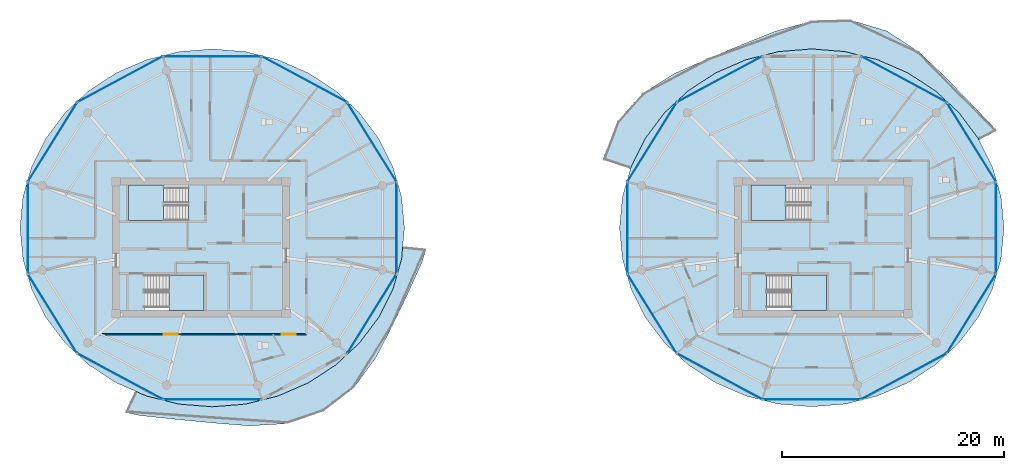
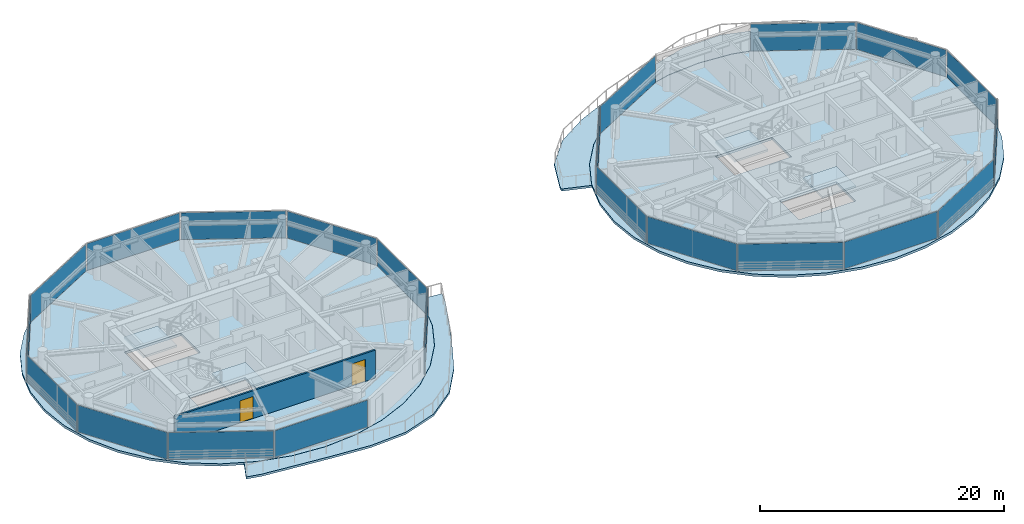
# One storey, part 11 of 23: 22 plates, 8 slabs, 2 doors, 1 wall, 2 openings, 26 elements without a shape of their own.
"""IFC4 building model written with IfcOpenShell, lengths in metres."""

from ifc_helpers import new_model, si_unit, direction, frame, frame_2d, origin, origin_2d, place, context, subcontext, project, spatial, polyline, rectangle, outline, extrude, source, transform, mapped, material, layer, layer_set, type_object, type_shapes, element, fill, aggregate, save


model = new_model("IFC4")

# Units and contexts
model_context = context("Model", 3, precision=1e-05, world=origin(), true_north=direction((0.0, 1.0)))
body_context = subcontext(model_context, "Body", "Model", "MODEL_VIEW")
ifc_project = project(units=[si_unit("LENGTHUNIT", "METRE"), si_unit("AREAUNIT", "SQUARE_METRE"), si_unit("VOLUMEUNIT", "CUBIC_METRE"), si_unit("PLANEANGLEUNIT", "RADIAN"), si_unit("MASSUNIT", "GRAM", prefix="KILO")], contexts=[model_context])

# Site, building, storey
site_placement = place(None, origin())
site = spatial("IfcSite", under=ifc_project, at=site_placement, CompositionType="ELEMENT")
building_placement = place(site_placement, origin())
building = spatial("IfcBuilding", under=site, at=building_placement, Name="Norrkilde Senior Care Towers", CompositionType="ELEMENT")
storey_placement = place(building_placement, frame((0.0, 0.0, 177.0)))
storey = spatial("IfcBuildingStorey", under=building, at=storey_placement, Name="L55", CompositionType="ELEMENT", Elevation=177.0)

# Slabs
ifc_material_1 = material(Name="Concrete C50/60", Category="concrete")
ifc_layer_1 = layer(ifc_material_1, 0.215087890625)
ifc_layer_set_1 = layer_set([ifc_layer_1], Name="Concrete C50/60")
slab_type_1 = type_object("IfcSlabType", Name="Sinusoidal Balcony Ribbon Slab 215", PredefinedType="FLOOR", material=ifc_layer_set_1)
slab_1_placement = place(storey_placement, frame((0.0, 0.0, -0.215087890625)))
element("IfcSlab", 1, at=slab_1_placement, inside=storey, type_object=slab_type_1, Name="L55 Drum W Swirling Senior Balcony 1", PredefinedType="FLOOR", context=body_context, shape_type="SweptSolid", body=[
    extrude(outline(polyline([(-10.75732421875, -7.041015625), (-12.244140625, -9.906494140625), (-14.240234375, -12.62548828125), (-16.952392578125, -14.72216796875), (-20.216552734375, -15.838134765625), (-23.648681640625, -16.044189453125), (-26.97509765625, -15.778564453125), (-30.205322265625, -15.458251953125), (-33.48876953125, -15.115234375), (-34.770751953125, -14.832275390625), (-33.878173828125, -12.93115234375), (-32.8935546875, -13.3583984375), (-29.97998046875, -14.0849609375), (-26.97509765625, -14.32958984375), (-23.969970703125, -14.0849609375), (-21.056396484375, -13.3583984375), (-18.322509765625, -12.171875), (-15.8515625, -10.561767578125), (-13.718505859375, -8.57666015625), (-11.988525390625, -6.277099609375), (-10.713623046875, -3.73291015625), (-9.932861328125, -1.021240234375), (-9.83056640625, 0.066162109375), (-7.740966796875, -0.14208984375), (-8.1103515625, -1.36669921875), (-9.41748046875, -4.239990234375), (-10.75732421875, -7.041015625)])), origin(), (0.0, 0.0, 1.0), 0.215087890625),
])
slab_2_placement = place(storey_placement, frame((0.0, 0.0, -0.215087890625)))
element("IfcSlab", 2, at=slab_2_placement, inside=storey, type_object=slab_type_1, Name="L55 Drum E Swirling Senior Balcony 1", PredefinedType="FLOOR", context=body_context, shape_type="SweptSolid", body=[
    extrude(outline(polyline([(9.528564453125, 11.354248046875), (11.774169921875, 13.880859375), (14.629638671875, 15.677490234375), (17.636962890625, 16.9990234375), (20.60986328125, 18.227294921875), (23.669677734375, 19.466064453125), (26.97509765625, 20.387939453125), (30.44677734375, 20.48095703125), (33.76416015625, 19.4794921875), (36.630859375, 17.59033203125), (39.03759765625, 15.315673828125), (41.239013671875, 13.0361328125), (43.43359375, 10.7412109375), (43.60693359375, 10.519775390625), (42.0302734375, 9.69091796875), (41.961669921875, 9.827880859375), (40.2314453125, 12.12744140625), (38.098388671875, 14.112548828125), (35.62744140625, 15.72265625), (32.8935546875, 16.9091796875), (29.97998046875, 17.6357421875), (26.97509765625, 17.88037109375), (23.969970703125, 17.6357421875), (21.056396484375, 16.9091796875), (18.322509765625, 15.72265625), (15.8515625, 14.112548828125), (13.718505859375, 12.12744140625), (11.988525390625, 9.827880859375), (10.713623046875, 7.28369140625), (10.66162109375, 7.103271484375), (8.24462890625, 7.892578125), (8.275390625, 8.2373046875), (9.528564453125, 11.354248046875)])), origin(), (0.0, 0.0, 1.0), 0.215087890625),
])

# Stair, slab
ifc_material_2 = material(Name="Concrete C45/55", Category="concrete")
stair_type = type_object("IfcStairType", Name="Core Protected Dogleg Stair Typical 3050", PredefinedType="HALF_TURN_STAIR", material=ifc_material_2)
stair_1_placement = place(storey_placement, origin())
stair_1 = element("IfcStair", 3, at=stair_1_placement, inside=storey, type_object=stair_type, Name="L55 Protected Core Stair W1", PredefinedType="HALF_TURN_STAIR")
ifc_layer_2 = layer(ifc_material_2, 0.199951171875)
ifc_layer_set_2 = layer_set([ifc_layer_2], Name="Concrete C45/55")
slab_type_2 = type_object("IfcSlabType", Name="Stair Landing Slab 200", PredefinedType="LANDING", material=ifc_layer_set_2)
slab_3_placement = place(storey_placement, frame((0.0, 0.0, 1.324951171875)))
slab_3 = element("IfcSlab", 4, at=slab_3_placement, type_object=slab_type_2, Name="ST-W1 landing 1", PredefinedType="LANDING", context=body_context, shape_type="SweptSolid", body=[
    extrude(outline(polyline([(-31.340087890625, 5.639892578125), (-34.5, 5.639892578125), (-34.5, 2.449951171875), (-31.340087890625, 2.449951171875), (-31.340087890625, 5.639892578125)])), origin(), (0.0, 0.0, 1.0), 0.199951171875),
])
aggregate(stair_1, [slab_3])

stair_2_placement = place(storey_placement, origin())
stair_2 = element("IfcStair", 5, at=stair_2_placement, inside=storey, type_object=stair_type, Name="L55 Protected Core Stair W2", PredefinedType="HALF_TURN_STAIR")
slab_4_placement = place(storey_placement, frame((0.0, 0.0, 1.324951171875)))
slab_4 = element("IfcSlab", 6, at=slab_4_placement, type_object=slab_type_2, Name="ST-W2 landing 1", PredefinedType="LANDING", context=body_context, shape_type="SweptSolid", body=[
    extrude(outline(polyline([(-30.860107421875, -5.639892578125), (-27.699951171875, -5.639892578125), (-27.699951171875, -2.449951171875), (-30.860107421875, -2.449951171875), (-30.860107421875, -5.639892578125)])), origin(), (0.0, 0.0, 1.0), 0.199951171875),
])
aggregate(stair_2, [slab_4])

stair_3_placement = place(storey_placement, origin())
stair_3 = element("IfcStair", 7, at=stair_3_placement, inside=storey, type_object=stair_type, Name="L55 Protected Core Stair E1", PredefinedType="HALF_TURN_STAIR")
slab_5_placement = place(storey_placement, frame((0.0, 0.0, 1.324951171875)))
slab_5 = element("IfcSlab", 8, at=slab_5_placement, type_object=slab_type_2, Name="ST-E1 landing 1", PredefinedType="LANDING", context=body_context, shape_type="SweptSolid", body=[
    extrude(outline(polyline([(24.659912109375, 5.639892578125), (21.5, 5.639892578125), (21.5, 2.449951171875), (24.659912109375, 2.449951171875), (24.659912109375, 5.639892578125)])), origin(), (0.0, 0.0, 1.0), 0.199951171875),
])
aggregate(stair_3, [slab_5])

stair_4_placement = place(storey_placement, origin())
stair_4 = element("IfcStair", 9, at=stair_4_placement, inside=storey, type_object=stair_type, Name="L55 Protected Core Stair E2", PredefinedType="HALF_TURN_STAIR")
slab_6_placement = place(storey_placement, frame((0.0, 0.0, 1.324951171875)))
slab_6 = element("IfcSlab", 10, at=slab_6_placement, type_object=slab_type_2, Name="ST-E2 landing 1", PredefinedType="LANDING", context=body_context, shape_type="SweptSolid", body=[
    extrude(outline(polyline([(25.139892578125, -5.639892578125), (28.300048828125, -5.639892578125), (28.300048828125, -2.449951171875), (25.139892578125, -2.449951171875), (25.139892578125, -5.639892578125)])), origin(), (0.0, 0.0, 1.0), 0.199951171875),
])
aggregate(stair_4, [slab_6])

# Slabs
ifc_layer_3 = layer(ifc_material_1, 0.239990234375)
ifc_layer_set_3 = layer_set([ifc_layer_3], Name="Concrete C50/60")
slab_type_3 = type_object("IfcSlabType", Name="Tower Residence Floor Slab 240", PredefinedType="FLOOR", material=ifc_layer_set_3)
slab_7_placement = place(storey_placement, frame((0.0, 0.0, -0.239990234375)))
element("IfcSlab", 11, at=slab_7_placement, inside=storey, type_object=slab_type_3, Name="L55 Drum W Structural Floor Slab", PredefinedType="FLOOR", context=body_context, shape_type="SweptSolid", body=[
    extrude(outline(polyline([(-10.71826171875, -3.731201171875), (-11.99267578125, -6.274658203125), (-13.722412109375, -8.573486328125), (-15.854736328125, -10.557861328125), (-18.324951171875, -12.167724609375), (-21.05810546875, -13.353759765625), (-23.970947265625, -14.080078125), (-26.97509765625, -14.32470703125), (-29.97900390625, -14.080078125), (-32.891845703125, -13.353759765625), (-35.625, -12.167724609375), (-38.09521484375, -10.557861328125), (-40.2275390625, -8.573486328125), (-41.957275390625, -6.274658203125), (-43.231689453125, -3.731201171875), (-44.01220703125, -1.020263671875), (-44.27490234375, 1.775390625), (-44.01220703125, 4.571044921875), (-43.231689453125, 7.281982421875), (-41.957275390625, 9.825439453125), (-40.2275390625, 12.124267578125), (-38.09521484375, 14.108642578125), (-35.625, 15.71826171875), (-32.891845703125, 16.904296875), (-29.97900390625, 17.630859375), (-26.97509765625, 17.875244140625), (-23.970947265625, 17.630859375), (-21.05810546875, 16.904296875), (-18.324951171875, 15.71826171875), (-15.854736328125, 14.108642578125), (-13.722412109375, 12.124267578125), (-11.99267578125, 9.825439453125), (-10.71826171875, 7.281982421875), (-9.937744140625, 4.571044921875), (-9.675048828125, 1.775390625), (-9.937744140625, -1.020263671875), (-10.71826171875, -3.731201171875)]), holes=[polyline([(-34.48193359375, 2.468017578125), (-29.117919921875, 2.468017578125), (-29.117919921875, 5.639892578125), (-34.48193359375, 5.639892578125), (-34.48193359375, 2.468017578125)]), polyline([(-27.718017578125, -5.639892578125), (-27.718017578125, -2.468017578125), (-33.08203125, -2.468017578125), (-33.08203125, -5.639892578125), (-27.718017578125, -5.639892578125)])]), origin(), (0.0, 0.0, 1.0), 0.239990234375),
])
slab_8_placement = place(storey_placement, frame((0.0, 0.0, -0.239990234375)))
element("IfcSlab", 12, at=slab_8_placement, inside=storey, type_object=slab_type_3, Name="L55 Drum E Structural Floor Slab", PredefinedType="FLOOR", context=body_context, shape_type="SweptSolid", body=[
    extrude(outline(polyline([(43.231689453125, -3.731201171875), (41.957275390625, -6.274658203125), (40.2275390625, -8.573486328125), (38.09521484375, -10.557861328125), (35.625, -12.167724609375), (32.891845703125, -13.353759765625), (29.97900390625, -14.080078125), (26.97509765625, -14.32470703125), (23.970947265625, -14.080078125), (21.05810546875, -13.353759765625), (18.324951171875, -12.167724609375), (15.854736328125, -10.557861328125), (13.722412109375, -8.573486328125), (11.99267578125, -6.274658203125), (10.71826171875, -3.731201171875), (9.937744140625, -1.020263671875), (9.675048828125, 1.775390625), (9.937744140625, 4.571044921875), (10.71826171875, 7.281982421875), (11.99267578125, 9.825439453125), (13.722412109375, 12.124267578125), (15.854736328125, 14.108642578125), (18.324951171875, 15.71826171875), (21.05810546875, 16.904296875), (23.970947265625, 17.630859375), (26.97509765625, 17.875244140625), (29.97900390625, 17.630859375), (32.891845703125, 16.904296875), (35.625, 15.71826171875), (38.09521484375, 14.108642578125), (40.2275390625, 12.124267578125), (41.957275390625, 9.825439453125), (43.231689453125, 7.281982421875), (44.01220703125, 4.571044921875), (44.27490234375, 1.775390625), (44.01220703125, -1.020263671875), (43.231689453125, -3.731201171875)]), holes=[polyline([(21.51806640625, 2.468017578125), (26.882080078125, 2.468017578125), (26.882080078125, 5.639892578125), (21.51806640625, 5.639892578125), (21.51806640625, 2.468017578125)]), polyline([(28.281982421875, -5.639892578125), (28.281982421875, -2.468017578125), (22.91796875, -2.468017578125), (22.91796875, -5.639892578125), (28.281982421875, -5.639892578125)])]), origin(), (0.0, 0.0, 1.0), 0.239990234375),
])

# Curtain wall, plate
ifc_material_3 = material(Name="Triple Low-E Insulated Glazing", Category="glass")
ifc_layer_4 = layer(ifc_material_3, 0.18994140625)
ifc_layer_set_4 = layer_set([ifc_layer_4], Name="Triple Low-E Insulated Glazing")
curtain_wall_type = type_object("IfcCurtainWallType", Name="CW4 Zone 3 Senior Residence Curtain Wall", PredefinedType="NOTDEFINED", material=ifc_layer_set_4)
curtain_wall_1_placement = place(storey_placement, origin())
curtain_wall_1 = element("IfcCurtainWall", 13, at=curtain_wall_1_placement, inside=storey, type_object=curtain_wall_type, Name="L55 Drum W Curtain Wall 00", PredefinedType="NOTDEFINED")
ifc_layer_5 = layer(ifc_material_3, 0.035888671875)
ifc_layer_set_5 = layer_set([ifc_layer_5], Name="Triple Low-E Insulated Glazing")
plate_type = type_object("IfcPlateType", Name="Triple Low-E Vision Curtain Panel 36", PredefinedType="CURTAIN_PANEL", material=ifc_layer_set_5)
shared_shape_1 = source(origin(), body_context, "Body", "SweptSolid", [
    extrude(rectangle(XDim=8.301513671875, YDim=0.035888671875, at=origin_2d()), origin(), (0.0, 0.0, 1.0), 2.68994140625),
])
plate_1_placement = place(storey_placement, frame((-12.603759765625, 9.4931640625, 0.06005859375), z_axis=(0.0, 0.0, 1.0), x_axis=(0.52737270789, -0.84963405474, 0.0)))
plate_1 = element("IfcPlate", 14, at=plate_1_placement, type_object=plate_type, Name="CW-4 panel 1.1", PredefinedType="CURTAIN_PANEL", context=body_context, shape_type="MappedRepresentation", body=[
    mapped(shared_shape_1, transform((0.0, 0.0, 0.0), x_axis=(1.0, 0.0, 0.0), y_axis=(0.0, 1.0, 0.0), z_axis=(0.0, 0.0, 1.0), scale=1.0)),
])
aggregate(curtain_wall_1, [plate_1])

curtain_wall_2_placement = place(storey_placement, origin())
curtain_wall_2 = element("IfcCurtainWall", 15, at=curtain_wall_2_placement, inside=storey, type_object=curtain_wall_type, Name="L55 Drum W Curtain Wall 04", PredefinedType="NOTDEFINED")
plate_2_placement = place(storey_placement, frame((-41.346435546875, 9.4931640625, 0.06005859375), z_axis=(0.0, 0.0, 1.0), x_axis=(0.52737270789, 0.84963405474, 0.0)))
plate_2 = element("IfcPlate", 16, at=plate_2_placement, type_object=plate_type, Name="CW-4 panel 1.1", PredefinedType="CURTAIN_PANEL", context=body_context, shape_type="MappedRepresentation", body=[
    mapped(shared_shape_1, transform((0.0, 0.0, 0.0), x_axis=(1.0, 0.0, 0.0), y_axis=(0.0, 1.0, 0.0), z_axis=(0.0, 0.0, 1.0), scale=1.0)),
])
aggregate(curtain_wall_2, [plate_2])

curtain_wall_3_placement = place(storey_placement, origin())
curtain_wall_3 = element("IfcCurtainWall", 17, at=curtain_wall_3_placement, inside=storey, type_object=curtain_wall_type, Name="L55 Drum W Curtain Wall 06", PredefinedType="NOTDEFINED")
plate_3_placement = place(storey_placement, frame((-41.346435546875, -5.9423828125, 0.06005859375), z_axis=(0.0, 0.0, 1.0), x_axis=(-0.52737270789, 0.84963405474, 0.0)))
plate_3 = element("IfcPlate", 18, at=plate_3_placement, type_object=plate_type, Name="CW-4 panel 1.1", PredefinedType="CURTAIN_PANEL", context=body_context, shape_type="MappedRepresentation", body=[
    mapped(shared_shape_1, transform((0.0, 0.0, 0.0), x_axis=(1.0, 0.0, 0.0), y_axis=(0.0, 1.0, 0.0), z_axis=(0.0, 0.0, 1.0), scale=1.0)),
])
aggregate(curtain_wall_3, [plate_3])

curtain_wall_4_placement = place(storey_placement, origin())
curtain_wall_4 = element("IfcCurtainWall", 19, at=curtain_wall_4_placement, inside=storey, type_object=curtain_wall_type, Name="L55 Drum W Curtain Wall 10", PredefinedType="NOTDEFINED")
plate_4_placement = place(storey_placement, frame((-12.603759765625, -5.9423828125, 0.06005859375), z_axis=(0.0, 0.0, 1.0), x_axis=(-0.52737270789, -0.84963405474, 0.0)))
plate_4 = element("IfcPlate", 20, at=plate_4_placement, type_object=plate_type, Name="CW-4 panel 1.1", PredefinedType="CURTAIN_PANEL", context=body_context, shape_type="MappedRepresentation", body=[
    mapped(shared_shape_1, transform((0.0, 0.0, 0.0), x_axis=(1.0, 0.0, 0.0), y_axis=(0.0, 1.0, 0.0), z_axis=(0.0, 0.0, 1.0), scale=1.0)),
])
aggregate(curtain_wall_4, [plate_4])

curtain_wall_5_placement = place(storey_placement, origin())
curtain_wall_5 = element("IfcCurtainWall", 21, at=curtain_wall_5_placement, inside=storey, type_object=curtain_wall_type, Name="L55 Drum E Curtain Wall 00", PredefinedType="NOTDEFINED")
plate_5_placement = place(storey_placement, frame((41.346435546875, 9.4931640625, 0.06005859375), z_axis=(0.0, 0.0, 1.0), x_axis=(0.52737270789, -0.84963405474, 0.0)))
plate_5 = element("IfcPlate", 22, at=plate_5_placement, type_object=plate_type, Name="CW-4 panel 1.1", PredefinedType="CURTAIN_PANEL", context=body_context, shape_type="MappedRepresentation", body=[
    mapped(shared_shape_1, transform((0.0, 0.0, 0.0), x_axis=(1.0, 0.0, 0.0), y_axis=(0.0, 1.0, 0.0), z_axis=(0.0, 0.0, 1.0), scale=1.0)),
])
aggregate(curtain_wall_5, [plate_5])

curtain_wall_6_placement = place(storey_placement, origin())
curtain_wall_6 = element("IfcCurtainWall", 23, at=curtain_wall_6_placement, inside=storey, type_object=curtain_wall_type, Name="L55 Drum E Curtain Wall 04", PredefinedType="NOTDEFINED")
plate_6_placement = place(storey_placement, frame((12.603759765625, 9.4931640625, 0.06005859375), z_axis=(0.0, 0.0, 1.0), x_axis=(0.52737270789, 0.84963405474, 0.0)))
plate_6 = element("IfcPlate", 24, at=plate_6_placement, type_object=plate_type, Name="CW-4 panel 1.1", PredefinedType="CURTAIN_PANEL", context=body_context, shape_type="MappedRepresentation", body=[
    mapped(shared_shape_1, transform((0.0, 0.0, 0.0), x_axis=(1.0, 0.0, 0.0), y_axis=(0.0, 1.0, 0.0), z_axis=(0.0, 0.0, 1.0), scale=1.0)),
])
aggregate(curtain_wall_6, [plate_6])

curtain_wall_7_placement = place(storey_placement, origin())
curtain_wall_7 = element("IfcCurtainWall", 25, at=curtain_wall_7_placement, inside=storey, type_object=curtain_wall_type, Name="L55 Drum E Curtain Wall 06", PredefinedType="NOTDEFINED")
plate_7_placement = place(storey_placement, frame((12.603759765625, -5.9423828125, 0.06005859375), z_axis=(0.0, 0.0, 1.0), x_axis=(-0.52737270789, 0.84963405474, 0.0)))
plate_7 = element("IfcPlate", 26, at=plate_7_placement, type_object=plate_type, Name="CW-4 panel 1.1", PredefinedType="CURTAIN_PANEL", context=body_context, shape_type="MappedRepresentation", body=[
    mapped(shared_shape_1, transform((0.0, 0.0, 0.0), x_axis=(1.0, 0.0, 0.0), y_axis=(0.0, 1.0, 0.0), z_axis=(0.0, 0.0, 1.0), scale=1.0)),
])
aggregate(curtain_wall_7, [plate_7])

curtain_wall_8_placement = place(storey_placement, origin())
curtain_wall_8 = element("IfcCurtainWall", 27, at=curtain_wall_8_placement, inside=storey, type_object=curtain_wall_type, Name="L55 Drum E Curtain Wall 10", PredefinedType="NOTDEFINED")
plate_8_placement = place(storey_placement, frame((41.346435546875, -5.9423828125, 0.06005859375), z_axis=(0.0, 0.0, 1.0), x_axis=(-0.52737270789, -0.84963405474, 0.0)))
plate_8 = element("IfcPlate", 28, at=plate_8_placement, type_object=plate_type, Name="CW-4 panel 1.1", PredefinedType="CURTAIN_PANEL", context=body_context, shape_type="MappedRepresentation", body=[
    mapped(shared_shape_1, transform((0.0, 0.0, 0.0), x_axis=(1.0, 0.0, 0.0), y_axis=(0.0, 1.0, 0.0), z_axis=(0.0, 0.0, 1.0), scale=1.0)),
])
aggregate(curtain_wall_8, [plate_8])

curtain_wall_9_placement = place(storey_placement, origin())
curtain_wall_9 = element("IfcCurtainWall", 29, at=curtain_wall_9_placement, inside=storey, type_object=curtain_wall_type, Name="L55 Drum W Curtain Wall 01", PredefinedType="NOTDEFINED")
shared_shape_2 = source(origin(), body_context, "Body", "SweptSolid", [
    extrude(rectangle(XDim=8.61181640625, YDim=0.035888671875, at=origin_2d()), origin(), (0.0, 0.0, 1.0), 2.68994140625),
])
plate_9_placement = place(storey_placement, frame((-18.677734375, 15.142822265625, 0.06005859375), z_axis=(0.0, 0.0, 1.0), x_axis=(0.880999524059, -0.47311715104, 0.0)))
plate_9 = element("IfcPlate", 30, at=plate_9_placement, type_object=plate_type, Name="CW-4 panel 1.1", PredefinedType="CURTAIN_PANEL", context=body_context, shape_type="MappedRepresentation", body=[
    mapped(shared_shape_2, transform((0.0, 0.0, 0.0), x_axis=(1.0, 0.0, 0.0), y_axis=(0.0, 1.0, 0.0), z_axis=(0.0, 0.0, 1.0), scale=1.0)),
])
aggregate(curtain_wall_9, [plate_9])

curtain_wall_10_placement = place(storey_placement, origin())
curtain_wall_10 = element("IfcCurtainWall", 31, at=curtain_wall_10_placement, inside=storey, type_object=curtain_wall_type, Name="L55 Drum W Curtain Wall 03", PredefinedType="NOTDEFINED")
plate_10_placement = place(storey_placement, frame((-35.272216796875, 15.142822265625, 0.06005859375), z_axis=(0.0, 0.0, 1.0), x_axis=(0.880999524059, 0.47311715104, 0.0)))
plate_10 = element("IfcPlate", 32, at=plate_10_placement, type_object=plate_type, Name="CW-4 panel 1.1", PredefinedType="CURTAIN_PANEL", context=body_context, shape_type="MappedRepresentation", body=[
    mapped(shared_shape_2, transform((0.0, 0.0, 0.0), x_axis=(1.0, 0.0, 0.0), y_axis=(0.0, 1.0, 0.0), z_axis=(0.0, 0.0, 1.0), scale=1.0)),
])
aggregate(curtain_wall_10, [plate_10])

curtain_wall_11_placement = place(storey_placement, origin())
curtain_wall_11 = element("IfcCurtainWall", 33, at=curtain_wall_11_placement, inside=storey, type_object=curtain_wall_type, Name="L55 Drum W Curtain Wall 07", PredefinedType="NOTDEFINED")
plate_11_placement = place(storey_placement, frame((-35.272216796875, -11.59228515625, 0.06005859375), z_axis=(0.0, 0.0, 1.0), x_axis=(-0.880999524059, 0.47311715104, 0.0)))
plate_11 = element("IfcPlate", 34, at=plate_11_placement, type_object=plate_type, Name="CW-4 panel 1.1", PredefinedType="CURTAIN_PANEL", context=body_context, shape_type="MappedRepresentation", body=[
    mapped(shared_shape_2, transform((0.0, 0.0, 0.0), x_axis=(1.0, 0.0, 0.0), y_axis=(0.0, 1.0, 0.0), z_axis=(0.0, 0.0, 1.0), scale=1.0)),
])
aggregate(curtain_wall_11, [plate_11])

curtain_wall_12_placement = place(storey_placement, origin())
curtain_wall_12 = element("IfcCurtainWall", 35, at=curtain_wall_12_placement, inside=storey, type_object=curtain_wall_type, Name="L55 Drum E Curtain Wall 01", PredefinedType="NOTDEFINED")
plate_12_placement = place(storey_placement, frame((35.272216796875, 15.142822265625, 0.06005859375), z_axis=(0.0, 0.0, 1.0), x_axis=(0.880999524059, -0.47311715104, 0.0)))
plate_12 = element("IfcPlate", 36, at=plate_12_placement, type_object=plate_type, Name="CW-4 panel 1.1", PredefinedType="CURTAIN_PANEL", context=body_context, shape_type="MappedRepresentation", body=[
    mapped(shared_shape_2, transform((0.0, 0.0, 0.0), x_axis=(1.0, 0.0, 0.0), y_axis=(0.0, 1.0, 0.0), z_axis=(0.0, 0.0, 1.0), scale=1.0)),
])
aggregate(curtain_wall_12, [plate_12])

curtain_wall_13_placement = place(storey_placement, origin())
curtain_wall_13 = element("IfcCurtainWall", 37, at=curtain_wall_13_placement, inside=storey, type_object=curtain_wall_type, Name="L55 Drum E Curtain Wall 03", PredefinedType="NOTDEFINED")
plate_13_placement = place(storey_placement, frame((18.677734375, 15.142822265625, 0.06005859375), z_axis=(0.0, 0.0, 1.0), x_axis=(0.880999524059, 0.47311715104, 0.0)))
plate_13 = element("IfcPlate", 38, at=plate_13_placement, type_object=plate_type, Name="CW-4 panel 1.1", PredefinedType="CURTAIN_PANEL", context=body_context, shape_type="MappedRepresentation", body=[
    mapped(shared_shape_2, transform((0.0, 0.0, 0.0), x_axis=(1.0, 0.0, 0.0), y_axis=(0.0, 1.0, 0.0), z_axis=(0.0, 0.0, 1.0), scale=1.0)),
])
aggregate(curtain_wall_13, [plate_13])

curtain_wall_14_placement = place(storey_placement, origin())
curtain_wall_14 = element("IfcCurtainWall", 39, at=curtain_wall_14_placement, inside=storey, type_object=curtain_wall_type, Name="L55 Drum E Curtain Wall 07", PredefinedType="NOTDEFINED")
plate_14_placement = place(storey_placement, frame((18.677734375, -11.59228515625, 0.06005859375), z_axis=(0.0, 0.0, 1.0), x_axis=(-0.880999524059, 0.47311715104, 0.0)))
plate_14 = element("IfcPlate", 40, at=plate_14_placement, type_object=plate_type, Name="CW-4 panel 1.1", PredefinedType="CURTAIN_PANEL", context=body_context, shape_type="MappedRepresentation", body=[
    mapped(shared_shape_2, transform((0.0, 0.0, 0.0), x_axis=(1.0, 0.0, 0.0), y_axis=(0.0, 1.0, 0.0), z_axis=(0.0, 0.0, 1.0), scale=1.0)),
])
aggregate(curtain_wall_14, [plate_14])

curtain_wall_15_placement = place(storey_placement, origin())
curtain_wall_15 = element("IfcCurtainWall", 41, at=curtain_wall_15_placement, inside=storey, type_object=curtain_wall_type, Name="L55 Drum E Curtain Wall 09", PredefinedType="NOTDEFINED")
plate_15_placement = place(storey_placement, frame((35.272216796875, -11.59228515625, 0.06005859375), z_axis=(0.0, 0.0, 1.0), x_axis=(-0.880999524059, -0.47311715104, 0.0)))
plate_15 = element("IfcPlate", 42, at=plate_15_placement, type_object=plate_type, Name="CW-4 panel 1.1", PredefinedType="CURTAIN_PANEL", context=body_context, shape_type="MappedRepresentation", body=[
    mapped(shared_shape_2, transform((0.0, 0.0, 0.0), x_axis=(1.0, 0.0, 0.0), y_axis=(0.0, 1.0, 0.0), z_axis=(0.0, 0.0, 1.0), scale=1.0)),
])
aggregate(curtain_wall_15, [plate_15])

curtain_wall_16_placement = place(storey_placement, origin())
curtain_wall_16 = element("IfcCurtainWall", 43, at=curtain_wall_16_placement, inside=storey, type_object=curtain_wall_type, Name="L55 Drum W Curtain Wall 02", PredefinedType="NOTDEFINED")
shared_shape_3 = source(origin(), body_context, "Body", "SweptSolid", [
    extrude(rectangle(XDim=8.762939453125, YDim=0.035888671875, at=origin_2d()), origin(), (0.0, 0.0, 1.0), 2.68994140625),
])
plate_16_placement = place(storey_placement, frame((-26.97509765625, 17.2109375, 0.06005859375), z_axis=(0.0, 0.0, 1.0), x_axis=(1.0, 0.0, 0.0)))
plate_16 = element("IfcPlate", 44, at=plate_16_placement, type_object=plate_type, Name="CW-4 panel 1.1", PredefinedType="CURTAIN_PANEL", context=body_context, shape_type="MappedRepresentation", body=[
    mapped(shared_shape_3, transform((0.0, 0.0, 0.0), x_axis=(1.0, 0.0, 0.0), y_axis=(0.0, 1.0, 0.0), z_axis=(0.0, 0.0, 1.0), scale=1.0)),
])
aggregate(curtain_wall_16, [plate_16])

curtain_wall_17_placement = place(storey_placement, origin())
curtain_wall_17 = element("IfcCurtainWall", 45, at=curtain_wall_17_placement, inside=storey, type_object=curtain_wall_type, Name="L55 Drum W Curtain Wall 08", PredefinedType="NOTDEFINED")
plate_17_placement = place(storey_placement, frame((-26.97509765625, -13.66015625, 0.06005859375), z_axis=(0.0, 0.0, 1.0), x_axis=(-1.0, 0.0, 0.0)))
plate_17 = element("IfcPlate", 46, at=plate_17_placement, type_object=plate_type, Name="CW-4 panel 1.1", PredefinedType="CURTAIN_PANEL", context=body_context, shape_type="MappedRepresentation", body=[
    mapped(shared_shape_3, transform((0.0, 0.0, 0.0), x_axis=(1.0, 0.0, 0.0), y_axis=(0.0, 1.0, 0.0), z_axis=(0.0, 0.0, 1.0), scale=1.0)),
])
aggregate(curtain_wall_17, [plate_17])

curtain_wall_18_placement = place(storey_placement, origin())
curtain_wall_18 = element("IfcCurtainWall", 47, at=curtain_wall_18_placement, inside=storey, type_object=curtain_wall_type, Name="L55 Drum E Curtain Wall 08", PredefinedType="NOTDEFINED")
plate_18_placement = place(storey_placement, frame((26.97509765625, -13.66015625, 0.06005859375), z_axis=(0.0, 0.0, 1.0), x_axis=(-1.0, 0.0, 0.0)))
plate_18 = element("IfcPlate", 48, at=plate_18_placement, type_object=plate_type, Name="CW-4 panel 1.1", PredefinedType="CURTAIN_PANEL", context=body_context, shape_type="MappedRepresentation", body=[
    mapped(shared_shape_3, transform((0.0, 0.0, 0.0), x_axis=(1.0, 0.0, 0.0), y_axis=(0.0, 1.0, 0.0), z_axis=(0.0, 0.0, 1.0), scale=1.0)),
])
aggregate(curtain_wall_18, [plate_18])

curtain_wall_19_placement = place(storey_placement, origin())
curtain_wall_19 = element("IfcCurtainWall", 49, at=curtain_wall_19_placement, inside=storey, type_object=curtain_wall_type, Name="L55 Drum W Curtain Wall 05", PredefinedType="NOTDEFINED")
shared_shape_4 = source(origin(), body_context, "Body", "SweptSolid", [
    extrude(rectangle(XDim=8.141845703125, YDim=0.035888671875, at=origin_2d()), origin(), (0.0, 0.0, 1.0), 2.68994140625),
])
type_shapes(plate_type, [shared_shape_1, shared_shape_2, shared_shape_3, shared_shape_4])
plate_19_placement = place(storey_placement, frame((-43.569580078125, 1.775390625, 0.06005859375), z_axis=(0.0, 0.0, 1.0), x_axis=(0.0, 1.0, 0.0)))
plate_19 = element("IfcPlate", 50, at=plate_19_placement, type_object=plate_type, Name="CW-4 panel 1.1", PredefinedType="CURTAIN_PANEL", context=body_context, shape_type="MappedRepresentation", body=[
    mapped(shared_shape_4, transform((0.0, 0.0, 0.0), x_axis=(1.0, 0.0, 0.0), y_axis=(0.0, 1.0, 0.0), z_axis=(0.0, 0.0, 1.0), scale=1.0)),
])
aggregate(curtain_wall_19, [plate_19])

curtain_wall_20_placement = place(storey_placement, origin())
curtain_wall_20 = element("IfcCurtainWall", 51, at=curtain_wall_20_placement, inside=storey, type_object=curtain_wall_type, Name="L55 Drum W Curtain Wall 11", PredefinedType="NOTDEFINED")
plate_20_placement = place(storey_placement, frame((-10.38037109375, 1.775390625, 0.06005859375), z_axis=(0.0, 0.0, 1.0), x_axis=(0.0, -1.0, 0.0)))
plate_20 = element("IfcPlate", 52, at=plate_20_placement, type_object=plate_type, Name="CW-4 panel 1.1", PredefinedType="CURTAIN_PANEL", context=body_context, shape_type="MappedRepresentation", body=[
    mapped(shared_shape_4, transform((0.0, 0.0, 0.0), x_axis=(1.0, 0.0, 0.0), y_axis=(0.0, 1.0, 0.0), z_axis=(0.0, 0.0, 1.0), scale=1.0)),
])
aggregate(curtain_wall_20, [plate_20])

curtain_wall_21_placement = place(storey_placement, origin())
curtain_wall_21 = element("IfcCurtainWall", 53, at=curtain_wall_21_placement, inside=storey, type_object=curtain_wall_type, Name="L55 Drum E Curtain Wall 05", PredefinedType="NOTDEFINED")
plate_21_placement = place(storey_placement, frame((10.38037109375, 1.775390625, 0.06005859375), z_axis=(0.0, 0.0, 1.0), x_axis=(0.0, 1.0, 0.0)))
plate_21 = element("IfcPlate", 54, at=plate_21_placement, type_object=plate_type, Name="CW-4 panel 1.1", PredefinedType="CURTAIN_PANEL", context=body_context, shape_type="MappedRepresentation", body=[
    mapped(shared_shape_4, transform((0.0, 0.0, 0.0), x_axis=(1.0, 0.0, 0.0), y_axis=(0.0, 1.0, 0.0), z_axis=(0.0, 0.0, 1.0), scale=1.0)),
])
aggregate(curtain_wall_21, [plate_21])

curtain_wall_22_placement = place(storey_placement, origin())
curtain_wall_22 = element("IfcCurtainWall", 55, at=curtain_wall_22_placement, inside=storey, type_object=curtain_wall_type, Name="L55 Drum E Curtain Wall 11", PredefinedType="NOTDEFINED")
plate_22_placement = place(storey_placement, frame((43.569580078125, 1.775390625, 0.06005859375), z_axis=(0.0, 0.0, 1.0), x_axis=(0.0, -1.0, 0.0)))
plate_22 = element("IfcPlate", 56, at=plate_22_placement, type_object=plate_type, Name="CW-4 panel 1.1", PredefinedType="CURTAIN_PANEL", context=body_context, shape_type="MappedRepresentation", body=[
    mapped(shared_shape_4, transform((0.0, 0.0, 0.0), x_axis=(1.0, 0.0, 0.0), y_axis=(0.0, 1.0, 0.0), z_axis=(0.0, 0.0, 1.0), scale=1.0)),
])
aggregate(curtain_wall_22, [plate_22])

# Wall, openings, doors
ifc_material_4 = material(Name="Gypsum Acoustic Board")
ifc_layer_6 = layer(ifc_material_4, 0.1650390625)
ifc_layer_set_6 = layer_set([ifc_layer_6], Name="Gypsum Acoustic Board")
wall_type = type_object("IfcWallType", Name="Corridor Rated Partition 165", PredefinedType="PARTITIONING", material=ifc_layer_set_6)
shared_shape_5 = source(origin(), body_context, "Body", "SweptSolid", [
    extrude(rectangle(XDim=19.0, YDim=0.1650390625, at=frame_2d((9.5, 0.0))), origin(), (0.0, 0.0, 1.0), 2.794921875),
])
type_shapes(wall_type, [shared_shape_5])
wall_placement = place(storey_placement, frame((-18.5, -7.800048828125, 0.0), z_axis=(0.0, 0.0, 1.0), x_axis=(-1.0, 0.0, 0.0)))
wall = element("IfcWall", 57, at=wall_placement, inside=storey, type_object=wall_type, Name="WL-INT-L55-W-CRW-S-0", PredefinedType="PARTITIONING", context=body_context, shape_type="MappedRepresentation", body=[
    mapped(shared_shape_5, transform((0.0, 0.0, 0.0), x_axis=(1.0, 0.0, 0.0), y_axis=(0.0, 1.0, 0.0), z_axis=(0.0, 0.0, 1.0), scale=1.0)),
])
opening_1_placement = place(wall_placement, frame((11.598388671875, 0.0, 0.0)))
opening_1 = element("IfcOpeningElement", 58, at=opening_1_placement, cuts=wall, Name="Opening D-05", PredefinedType="OPENING", context=body_context, shape_type="SweptSolid", body=[
    extrude(rectangle(XDim=1.25, YDim=2.199951171875, at=frame_2d((0.625, 1.10009765625))), frame((0.0, 0.092529296875, 0.0), z_axis=(0.0, -1.0, 0.0), x_axis=(1.0, 0.0, 0.0)), (0.0, 0.0, 1.0), 0.18505859375),
])
opening_2_placement = place(wall_placement, frame((0.962890625, 0.0, 0.0)))
opening_2 = element("IfcOpeningElement", 59, at=opening_2_placement, cuts=wall, Name="Opening D-05", PredefinedType="OPENING", context=body_context, shape_type="SweptSolid", body=[
    extrude(rectangle(XDim=1.25, YDim=2.199951171875, at=frame_2d((0.625, 1.10009765625))), frame((0.0, 0.092529296875, 0.0), z_axis=(0.0, -1.0, 0.0), x_axis=(1.0, 0.0, 0.0)), (0.0, 0.0, 1.0), 0.18505859375),
])
ifc_material_5 = material(Name="Nordic Ash Timber", Category="wood")
door_type = type_object("IfcDoorType", Name="Care Bedroom Bariatric Door 1250x2200", OperationType="NOTDEFINED", PredefinedType="DOOR", material=ifc_material_5)
shared_shape_6 = source(origin(), body_context, "Body", "SweptSolid", [
    extrude(rectangle(XDim=1.25, YDim=2.199951171875, at=frame_2d((0.625, 1.10009765625))), frame((0.0, 0.02490234375, 0.0), z_axis=(0.0, -1.0, 0.0), x_axis=(1.0, 0.0, 0.0)), (0.0, 0.0, 1.0), 0.050048828125),
])
type_shapes(door_type, [shared_shape_6])
door_1_placement = place(opening_1_placement, frame((1.25, 0.0, 0.0), z_axis=(0.0, 0.0, 1.0), x_axis=(-1.0, 0.0, 0.0)))
door_1 = element("IfcDoor", 60, at=door_1_placement, inside=storey, type_object=door_type, Name="L55 Resident Therapeutic Day Lounge Door", OperationType="SINGLE_SWING_LEFT", OverallHeight=2.199951171875, OverallWidth=1.25, PredefinedType="DOOR", context=body_context, shape_type="MappedRepresentation", body=[
    mapped(shared_shape_6, transform((0.0, 0.0, 0.0), x_axis=(1.0, 0.0, 0.0), y_axis=(0.0, 1.0, 0.0), z_axis=(0.0, 0.0, 1.0), scale=1.0)),
])
fill(opening_1, door_1)
door_2_placement = place(opening_2_placement, frame((1.25, 0.0, 0.0), z_axis=(0.0, 0.0, 1.0), x_axis=(-1.0, 0.0, 0.0)))
door_2 = element("IfcDoor", 61, at=door_2_placement, inside=storey, type_object=door_type, Name="L55 Care Suite 5509 Entrance Door", OperationType="SINGLE_SWING_LEFT", OverallHeight=2.199951171875, OverallWidth=1.25, PredefinedType="DOOR", context=body_context, shape_type="MappedRepresentation", body=[
    mapped(shared_shape_6, transform((0.0, 0.0, 0.0), x_axis=(1.0, 0.0, 0.0), y_axis=(0.0, 1.0, 0.0), z_axis=(0.0, 0.0, 1.0), scale=1.0)),
])
fill(opening_2, door_2)

save(model, "model.ifc")
